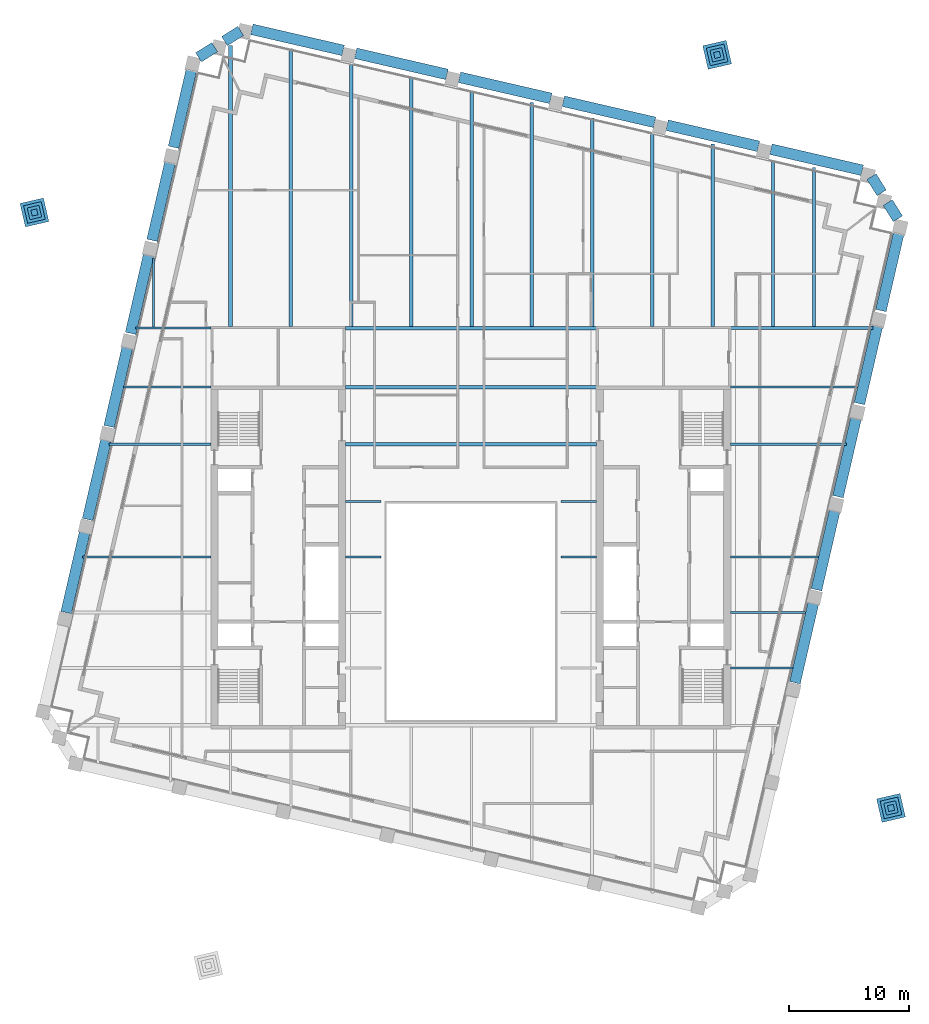
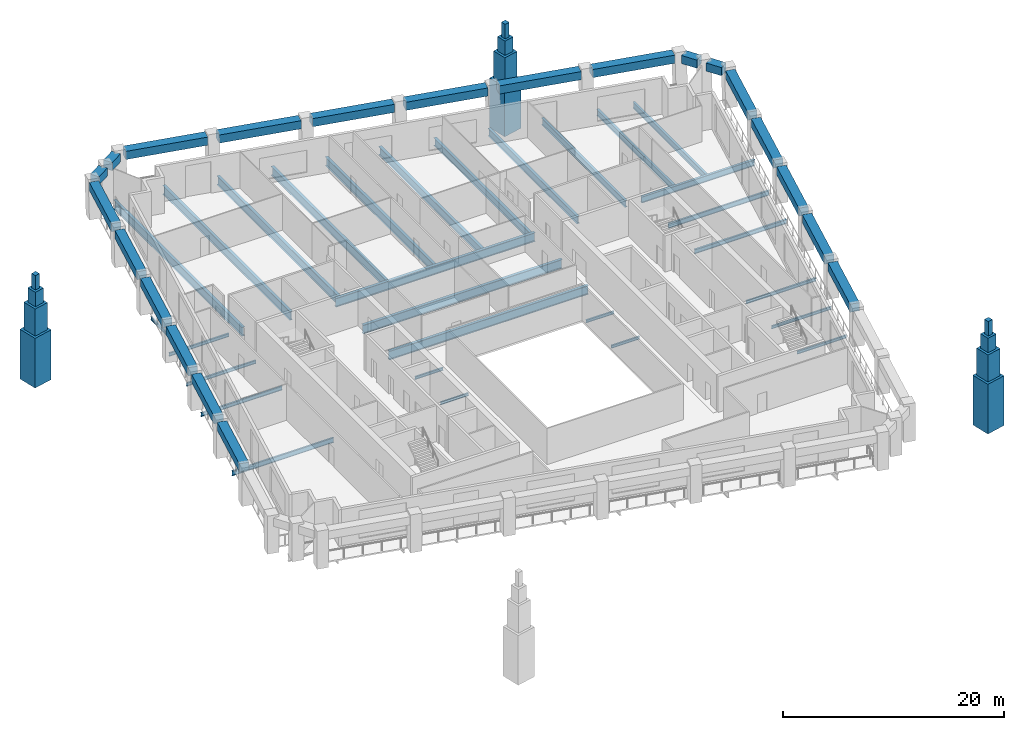
# One storey, part 2 of 9: 50 beams, 12 members.
"""IFC4 building model written with IfcOpenShell, lengths in metres."""

from ifc_helpers import new_model, si_unit, direction, frame, origin, origin_2d, place, context, subcontext, project, spatial, rectangle, i_section, extrude, material, material_profile, profile_set, type_object, element, save


model = new_model("IFC4")

# Units and contexts
model_context = context("Model", 3, precision=1e-05, world=origin(), true_north=direction((0.0, 1.0)))
body_context = subcontext(model_context, "Body", "Model", "MODEL_VIEW")
ifc_project = project(units=[si_unit("LENGTHUNIT", "METRE"), si_unit("AREAUNIT", "SQUARE_METRE"), si_unit("VOLUMEUNIT", "CUBIC_METRE"), si_unit("PLANEANGLEUNIT", "RADIAN"), si_unit("MASSUNIT", "GRAM", prefix="KILO")], contexts=[model_context])

# Site, building, storey
site_placement = place(None, origin())
site = spatial("IfcSite", under=ifc_project, at=site_placement, CompositionType="ELEMENT")
building_placement = place(site_placement, origin())
building = spatial("IfcBuilding", under=site, at=building_placement, Name="Ogive Exchange Tower", CompositionType="ELEMENT")
storey_placement = place(building_placement, frame((0.0, 0.0, 243.0)))
storey = spatial("IfcBuildingStorey", under=building, at=storey_placement, Name="L52", CompositionType="ELEMENT", Elevation=243.0)

# Beams
ifc_material_1 = material(Name="Steel ASTM A992 Gr50", Category="steel")
ifc_material_profile_1 = material_profile(ifc_material_1, i_section(OverallWidth=0.300048828125, OverallDepth=0.969970703125, WebThickness=0.01611328125, FlangeThickness=0.02099609375, at=origin_2d()), Name="W1000x222")
ifc_profile_set_1 = profile_set([ifc_material_profile_1], Name="Steel ASTM A992 Gr50")
beam_type_1 = type_object("IfcBeamType", Name="Floor beam W1000x222", PredefinedType="JOIST", material=ifc_profile_set_1)
beam_1_placement = place(storey_placement, frame((0.061279296875, 30.695068359375, -0.68505859375), z_axis=(0.0, 1.0, 0.0), x_axis=(-1.0, 0.0, 0.0)))
element("IfcBeam", 1, at=beam_1_placement, inside=storey, type_object=beam_type_1, Name="Floor beam", PredefinedType="JOIST", context=body_context, shape_type="SweptSolid", body=[
    extrude(i_section(OverallWidth=0.300048828125, OverallDepth=0.969970703125, WebThickness=0.01611328125, FlangeThickness=0.02099609375, at=origin_2d()), origin(), (0.0, 0.0, 1.0), 19.6015625),
])
ifc_material_profile_2 = material_profile(ifc_material_1, i_section(OverallWidth=0.300048828125, OverallDepth=0.97998046875, WebThickness=0.0166015625, FlangeThickness=0.026123046875, at=origin_2d()), Name="W1000x249")
ifc_profile_set_2 = profile_set([ifc_material_profile_2], Name="Steel ASTM A992 Gr50")
beam_type_2 = type_object("IfcBeamType", Name="Floor beam W1000x249", PredefinedType="JOIST", material=ifc_profile_set_2)
for number, where, z_axis, x_axis, name in (
    (2, (-10.419921875, 20.89990234375, -0.68994140625), (1.0, 0.0, 0.0), (0.0, 1.0, 0.0), "Floor beam"),
    (3, (-10.419921875, 25.64501953125, -0.68994140625), (1.0, 0.0, 0.0), (0.0, 1.0, 0.0), "Floor beam"),
):
    element("IfcBeam", number, at=place(storey_placement, frame(where, z_axis=z_axis, x_axis=x_axis)), inside=storey, type_object=beam_type_2, Name=name, PredefinedType="JOIST", context=body_context, shape_type="SweptSolid", body=[
        extrude(i_section(OverallWidth=0.300048828125, OverallDepth=0.97998046875, WebThickness=0.0166015625, FlangeThickness=0.026123046875, at=origin_2d()), origin(), (0.0, 0.0, 1.0), 20.83984375),
    ])
beam_2_placement = place(storey_placement, frame((-19.961669921875, 30.699951171875, -0.68994140625), z_axis=(0.0, 1.0, 0.0), x_axis=(-1.0, 0.0, 0.0)))
element("IfcBeam", 4, at=beam_2_placement, inside=storey, type_object=beam_type_2, Name="Floor beam", PredefinedType="JOIST", context=body_context, shape_type="SweptSolid", body=[
    extrude(i_section(OverallWidth=0.300048828125, OverallDepth=0.97998046875, WebThickness=0.0166015625, FlangeThickness=0.026123046875, at=origin_2d()), origin(), (0.0, 0.0, 1.0), 23.302978515625),
])
beam_3_placement = place(storey_placement, frame((-14.955810546875, 30.699951171875, -0.68994140625), z_axis=(0.0, 1.0, 0.0), x_axis=(-1.0, 0.0, 0.0)))
element("IfcBeam", 5, at=beam_3_placement, inside=storey, type_object=beam_type_2, Name="Floor beam", PredefinedType="JOIST", context=body_context, shape_type="SweptSolid", body=[
    extrude(i_section(OverallWidth=0.300048828125, OverallDepth=0.97998046875, WebThickness=0.0166015625, FlangeThickness=0.026123046875, at=origin_2d()), origin(), (0.0, 0.0, 1.0), 23.063720703125),
])
beam_4_placement = place(storey_placement, frame((-9.9501953125, 30.695068359375, -0.68994140625), z_axis=(0.0, 1.0, 0.0), x_axis=(-1.0, 0.0, 0.0)))
element("IfcBeam", 6, at=beam_4_placement, inside=storey, type_object=beam_type_2, Name="Floor beam", PredefinedType="JOIST", context=body_context, shape_type="SweptSolid", body=[
    extrude(i_section(OverallWidth=0.300048828125, OverallDepth=0.97998046875, WebThickness=0.0166015625, FlangeThickness=0.026123046875, at=origin_2d()), origin(), (0.0, 0.0, 1.0), 21.912841796875),
])
beam_5_placement = place(storey_placement, frame((-4.9443359375, 30.695068359375, -0.68994140625), z_axis=(0.0, 1.0, 0.0), x_axis=(-1.0, 0.0, 0.0)))
element("IfcBeam", 7, at=beam_5_placement, inside=storey, type_object=beam_type_2, Name="Floor beam", PredefinedType="JOIST", context=body_context, shape_type="SweptSolid", body=[
    extrude(i_section(OverallWidth=0.300048828125, OverallDepth=0.97998046875, WebThickness=0.0166015625, FlangeThickness=0.026123046875, at=origin_2d()), origin(), (0.0, 0.0, 1.0), 20.75732421875),
])
ifc_material_profile_3 = material_profile(ifc_material_1, i_section(OverallWidth=0.1650390625, OverallDepth=0.31005859375, WebThickness=0.005859375, FlangeThickness=0.009765625, at=origin_2d()), Name="W310x38.7")
ifc_profile_set_3 = profile_set([ifc_material_profile_3], Name="Steel ASTM A992 Gr50")
beam_type_3 = type_object("IfcBeamType", Name="Floor beam W310x38.7", PredefinedType="JOIST", material=ifc_profile_set_3)
beam_6_placement = place(storey_placement, frame((21.580078125, 2.3212890625, -0.35498046875), z_axis=(1.0, 0.0, 0.0), x_axis=(0.0, 1.0, 0.0)))
element("IfcBeam", 8, at=beam_6_placement, inside=storey, type_object=beam_type_3, Name="Floor beam", PredefinedType="JOIST", context=body_context, shape_type="SweptSolid", body=[
    extrude(i_section(OverallWidth=0.1650390625, OverallDepth=0.31005859375, WebThickness=0.005859375, FlangeThickness=0.009765625, at=origin_2d()), origin(), (0.0, 0.0, 1.0), 5.166015625),
])
beam_7_placement = place(storey_placement, frame((21.580078125, 6.9326171875, -0.35498046875), z_axis=(1.0, 0.0, 0.0), x_axis=(0.0, 1.0, 0.0)))
element("IfcBeam", 9, at=beam_7_placement, inside=storey, type_object=beam_type_3, Name="Floor beam", PredefinedType="JOIST", context=body_context, shape_type="SweptSolid", body=[
    extrude(i_section(OverallWidth=0.1650390625, OverallDepth=0.31005859375, WebThickness=0.005859375, FlangeThickness=0.009765625, at=origin_2d()), origin(), (0.0, 0.0, 1.0), 6.230712890625),
])
for number, where, z_axis, x_axis, name in (
    (10, (-10.419921875, 11.543701171875, -0.35498046875), (1.0, 0.0, 0.0), (0.0, 1.0, 0.0), "Floor beam"),
    (11, (7.469970703125, 11.543701171875, -0.35498046875), (1.0, 0.0, 0.0), (0.0, 1.0, 0.0), "Floor beam"),
):
    element("IfcBeam", number, at=place(storey_placement, frame(where, z_axis=z_axis, x_axis=x_axis)), inside=storey, type_object=beam_type_3, Name=name, PredefinedType="JOIST", context=body_context, shape_type="SweptSolid", body=[
        extrude(i_section(OverallWidth=0.1650390625, OverallDepth=0.31005859375, WebThickness=0.005859375, FlangeThickness=0.009765625, at=origin_2d()), origin(), (0.0, 0.0, 1.0), 2.949951171875),
    ])
beam_8_placement = place(storey_placement, frame((-26.3671875, 30.630615234375, -0.35498046875), z_axis=(0.0, 1.0, 0.0), x_axis=(-1.0, 0.0, 0.0)))
element("IfcBeam", 12, at=beam_8_placement, inside=storey, type_object=beam_type_3, Name="Floor beam", PredefinedType="JOIST", context=body_context, shape_type="SweptSolid", body=[
    extrude(i_section(OverallWidth=0.1650390625, OverallDepth=0.31005859375, WebThickness=0.005859375, FlangeThickness=0.009765625, at=origin_2d()), origin(), (0.0, 0.0, 1.0), 5.688720703125),
])
ifc_material_profile_4 = material_profile(ifc_material_1, i_section(OverallWidth=0.1708984375, OverallDepth=0.35595703125, WebThickness=0.00732421875, FlangeThickness=0.01171875, at=origin_2d()), Name="W360x51")
ifc_profile_set_4 = profile_set([ifc_material_profile_4], Name="Steel ASTM A992 Gr50")
beam_type_4 = type_object("IfcBeamType", Name="Floor beam W360x51", PredefinedType="JOIST", material=ifc_profile_set_4)
beam_9_placement = place(storey_placement, frame((21.580078125, 11.543701171875, -0.3779296875), z_axis=(1.0, 0.0, 0.0), x_axis=(0.0, 1.0, 0.0)))
element("IfcBeam", 13, at=beam_9_placement, inside=storey, type_object=beam_type_4, Name="Floor beam", PredefinedType="JOIST", context=body_context, shape_type="SweptSolid", body=[
    extrude(i_section(OverallWidth=0.1708984375, OverallDepth=0.35595703125, WebThickness=0.00732421875, FlangeThickness=0.01171875, at=origin_2d()), origin(), (0.0, 0.0, 1.0), 7.295166015625),
])
beam_10_placement = place(storey_placement, frame((-28.831787109375, 25.64501953125, -0.3779296875), z_axis=(1.0, 0.0, 0.0), x_axis=(0.0, 1.0, 0.0)))
element("IfcBeam", 14, at=beam_10_placement, inside=storey, type_object=beam_type_4, Name="Floor beam", PredefinedType="JOIST", context=body_context, shape_type="SweptSolid", body=[
    extrude(i_section(OverallWidth=0.1708984375, OverallDepth=0.35595703125, WebThickness=0.00732421875, FlangeThickness=0.01171875, at=origin_2d()), origin(), (0.0, 0.0, 1.0), 7.251708984375),
])
ifc_material_profile_5 = material_profile(ifc_material_1, i_section(OverallWidth=0.177978515625, OverallDepth=0.406005859375, WebThickness=0.0078125, FlangeThickness=0.0126953125, at=origin_2d()), Name="W410x60")
ifc_profile_set_5 = profile_set([ifc_material_profile_5], Name="Steel ASTM A992 Gr50")
beam_type_5 = type_object("IfcBeamType", Name="Floor beam W410x60", PredefinedType="JOIST", material=ifc_profile_set_5)
beam_11_placement = place(storey_placement, frame((-30.0771484375, 20.89990234375, -0.403076171875), z_axis=(1.0, 0.0, 0.0), x_axis=(0.0, 1.0, 0.0)))
element("IfcBeam", 15, at=beam_11_placement, inside=storey, type_object=beam_type_5, Name="Floor beam", PredefinedType="JOIST", context=body_context, shape_type="SweptSolid", body=[
    extrude(i_section(OverallWidth=0.177978515625, OverallDepth=0.406005859375, WebThickness=0.0078125, FlangeThickness=0.0126953125, at=origin_2d()), origin(), (0.0, 0.0, 1.0), 8.4970703125),
])
ifc_material_profile_6 = material_profile(ifc_material_1, i_section(OverallWidth=0.19189453125, OverallDepth=0.4619140625, WebThickness=0.010498046875, FlangeThickness=0.017578125, at=origin_2d()), Name="W460x89")
ifc_profile_set_6 = profile_set([ifc_material_profile_6], Name="Steel ASTM A992 Gr50")
beam_type_6 = type_object("IfcBeamType", Name="Floor beam W460x89", PredefinedType="JOIST", material=ifc_profile_set_6)
beam_12_placement = place(storey_placement, frame((21.580078125, 20.89990234375, -0.430908203125), z_axis=(1.0, 0.0, 0.0), x_axis=(0.0, 1.0, 0.0)))
element("IfcBeam", 16, at=beam_12_placement, inside=storey, type_object=beam_type_6, Name="Floor beam", PredefinedType="JOIST", context=body_context, shape_type="SweptSolid", body=[
    extrude(i_section(OverallWidth=0.19189453125, OverallDepth=0.4619140625, WebThickness=0.010498046875, FlangeThickness=0.017578125, at=origin_2d()), origin(), (0.0, 0.0, 1.0), 9.605224609375),
])
ifc_material_profile_7 = material_profile(ifc_material_1, i_section(OverallWidth=0.1669921875, OverallDepth=0.535888671875, WebThickness=0.01025390625, FlangeThickness=0.0166015625, at=origin_2d()), Name="W530x85")
ifc_profile_set_7 = profile_set([ifc_material_profile_7], Name="Steel ASTM A992 Gr50")
beam_type_7 = type_object("IfcBeamType", Name="Floor beam W530x85", PredefinedType="JOIST", material=ifc_profile_set_7)
beam_13_placement = place(storey_placement, frame((-32.2373046875, 11.543701171875, -0.468017578125), z_axis=(1.0, 0.0, 0.0), x_axis=(0.0, 1.0, 0.0)))
element("IfcBeam", 17, at=beam_13_placement, inside=storey, type_object=beam_type_7, Name="Floor beam", PredefinedType="JOIST", context=body_context, shape_type="SweptSolid", body=[
    extrude(i_section(OverallWidth=0.1669921875, OverallDepth=0.535888671875, WebThickness=0.01025390625, FlangeThickness=0.0166015625, at=origin_2d()), origin(), (0.0, 0.0, 1.0), 10.6572265625),
])
beam_14_placement = place(storey_placement, frame((21.580078125, 25.64501953125, -0.468017578125), z_axis=(1.0, 0.0, 0.0), x_axis=(0.0, 1.0, 0.0)))
element("IfcBeam", 18, at=beam_14_placement, inside=storey, type_object=beam_type_7, Name="Floor beam", PredefinedType="JOIST", context=body_context, shape_type="SweptSolid", body=[
    extrude(i_section(OverallWidth=0.1669921875, OverallDepth=0.535888671875, WebThickness=0.01025390625, FlangeThickness=0.0166015625, at=origin_2d()), origin(), (0.0, 0.0, 1.0), 10.55078125),
])
ifc_material_profile_8 = material_profile(ifc_material_1, i_section(OverallWidth=0.25390625, OverallDepth=0.677978515625, WebThickness=0.01171875, FlangeThickness=0.016357421875, at=origin_2d()), Name="W690x125")
ifc_profile_set_8 = profile_set([ifc_material_profile_8], Name="Steel ASTM A992 Gr50")
beam_type_8 = type_object("IfcBeamType", Name="Floor beam W690x125", PredefinedType="JOIST", material=ifc_profile_set_8)
beam_15_placement = place(storey_placement, frame((25.090087890625, 30.672119140625, -0.5390625), z_axis=(0.0, 1.0, 0.0), x_axis=(-1.0, 0.0, 0.0)))
element("IfcBeam", 19, at=beam_15_placement, inside=storey, type_object=beam_type_8, Name="Floor beam", PredefinedType="JOIST", context=body_context, shape_type="SweptSolid", body=[
    extrude(i_section(OverallWidth=0.25390625, OverallDepth=0.677978515625, WebThickness=0.01171875, FlangeThickness=0.016357421875, at=origin_2d()), origin(), (0.0, 0.0, 1.0), 13.84619140625),
])
beam_16_placement = place(storey_placement, frame((28.49560546875, 30.672119140625, -0.5390625), z_axis=(0.0, 1.0, 0.0), x_axis=(-1.0, 0.0, 0.0)))
element("IfcBeam", 20, at=beam_16_placement, inside=storey, type_object=beam_type_8, Name="Floor beam", PredefinedType="JOIST", context=body_context, shape_type="SweptSolid", body=[
    extrude(i_section(OverallWidth=0.25390625, OverallDepth=0.677978515625, WebThickness=0.01171875, FlangeThickness=0.016357421875, at=origin_2d()), origin(), (0.0, 0.0, 1.0), 13.2099609375),
])
ifc_material_profile_9 = material_profile(ifc_material_1, i_section(OverallWidth=0.26708984375, OverallDepth=0.75390625, WebThickness=0.01318359375, FlangeThickness=0.01708984375, at=origin_2d()), Name="W760x147")
ifc_profile_set_9 = profile_set([ifc_material_profile_9], Name="Steel ASTM A992 Gr50")
beam_type_9 = type_object("IfcBeamType", Name="Floor beam W760x147", PredefinedType="JOIST", material=ifc_profile_set_9)
beam_17_placement = place(storey_placement, frame((20.084228515625, 30.699951171875, -0.576904296875), z_axis=(0.0, 1.0, 0.0), x_axis=(-1.0, 0.0, 0.0)))
element("IfcBeam", 21, at=beam_17_placement, inside=storey, type_object=beam_type_9, Name="Floor beam", PredefinedType="JOIST", context=body_context, shape_type="SweptSolid", body=[
    extrude(i_section(OverallWidth=0.26708984375, OverallDepth=0.75390625, WebThickness=0.01318359375, FlangeThickness=0.01708984375, at=origin_2d()), origin(), (0.0, 0.0, 1.0), 15.1240234375),
])
ifc_material_profile_10 = material_profile(ifc_material_1, i_section(OverallWidth=0.2919921875, OverallDepth=0.8359375, WebThickness=0.013916015625, FlangeThickness=0.018798828125, at=origin_2d()), Name="W840x176")
ifc_profile_set_10 = profile_set([ifc_material_profile_10], Name="Steel ASTM A992 Gr50")
beam_type_10 = type_object("IfcBeamType", Name="Floor beam W840x176", PredefinedType="JOIST", material=ifc_profile_set_10)
beam_18_placement = place(storey_placement, frame((10.07275390625, 30.695068359375, -0.617919921875), z_axis=(0.0, 1.0, 0.0), x_axis=(-1.0, 0.0, 0.0)))
element("IfcBeam", 22, at=beam_18_placement, inside=storey, type_object=beam_type_10, Name="Floor beam", PredefinedType="JOIST", context=body_context, shape_type="SweptSolid", body=[
    extrude(i_section(OverallWidth=0.2919921875, OverallDepth=0.8359375, WebThickness=0.013916015625, FlangeThickness=0.018798828125, at=origin_2d()), origin(), (0.0, 0.0, 1.0), 17.290283203125),
])
beam_19_placement = place(storey_placement, frame((15.07861328125, 30.699951171875, -0.617919921875), z_axis=(0.0, 1.0, 0.0), x_axis=(-1.0, 0.0, 0.0)))
element("IfcBeam", 23, at=beam_19_placement, inside=storey, type_object=beam_type_10, Name="Floor beam", PredefinedType="JOIST", context=body_context, shape_type="SweptSolid", body=[
    extrude(i_section(OverallWidth=0.2919921875, OverallDepth=0.8359375, WebThickness=0.013916015625, FlangeThickness=0.018798828125, at=origin_2d()), origin(), (0.0, 0.0, 1.0), 16.129638671875),
])
ifc_material_profile_11 = material_profile(ifc_material_1, i_section(OverallWidth=0.304931640625, OverallDepth=0.904052734375, WebThickness=0.01513671875, FlangeThickness=0.02001953125, at=origin_2d()), Name="W920x201")
ifc_profile_set_11 = profile_set([ifc_material_profile_11], Name="Steel ASTM A992 Gr50")
beam_type_11 = type_object("IfcBeamType", Name="Floor beam W920x201", PredefinedType="JOIST", material=ifc_profile_set_11)
beam_20_placement = place(storey_placement, frame((5.067138671875, 30.695068359375, -0.652099609375), z_axis=(0.0, 1.0, 0.0), x_axis=(-1.0, 0.0, 0.0)))
element("IfcBeam", 24, at=beam_20_placement, inside=storey, type_object=beam_type_11, Name="Floor beam", PredefinedType="JOIST", context=body_context, shape_type="SweptSolid", body=[
    extrude(i_section(OverallWidth=0.304931640625, OverallDepth=0.904052734375, WebThickness=0.01513671875, FlangeThickness=0.02001953125, at=origin_2d()), origin(), (0.0, 0.0, 1.0), 18.595947265625),
])
ifc_material_profile_12 = material_profile(ifc_material_1, i_section(OverallWidth=0.300048828125, OverallDepth=0.97998046875, WebThickness=0.0166015625, FlangeThickness=0.026123046875, at=origin_2d()), Name="W1000x249")
ifc_profile_set_12 = profile_set([ifc_material_profile_12], Name="Steel ASTM A992 Gr50")
beam_type_12 = type_object("IfcBeamType", Name="Girder W1000x249", PredefinedType="BEAM", material=ifc_profile_set_12)
beam_21_placement = place(storey_placement, frame((-10.419921875, 30.544921875, -0.68994140625), z_axis=(1.0, 0.0, 0.0), x_axis=(0.0, 1.0, 0.0)))
element("IfcBeam", 25, at=beam_21_placement, inside=storey, type_object=beam_type_12, Name="Header girder", PredefinedType="BEAM", context=body_context, shape_type="SweptSolid", body=[
    extrude(i_section(OverallWidth=0.300048828125, OverallDepth=0.97998046875, WebThickness=0.0166015625, FlangeThickness=0.026123046875, at=origin_2d()), origin(), (0.0, 0.0, 1.0), 20.83984375),
])
ifc_material_profile_13 = material_profile(ifc_material_1, i_section(OverallWidth=0.1650390625, OverallDepth=0.31005859375, WebThickness=0.005859375, FlangeThickness=0.009765625, at=origin_2d()), Name="W310x38.7")
ifc_profile_set_13 = profile_set([ifc_material_profile_13], Name="Steel ASTM A992 Gr50")
beam_type_13 = type_object("IfcBeamType", Name="Girder W310x38.7", PredefinedType="BEAM", material=ifc_profile_set_13)
for number, where, z_axis, x_axis, name in (
    (26, (-10.419921875, 16.155029296875, -0.35498046875), (1.0, 0.0, 0.0), (0.0, 1.0, 0.0), "Trimmer girder"),
    (27, (7.469970703125, 16.155029296875, -0.35498046875), (1.0, 0.0, 0.0), (0.0, 1.0, 0.0), "Trimmer girder"),
):
    element("IfcBeam", number, at=place(storey_placement, frame(where, z_axis=z_axis, x_axis=x_axis)), inside=storey, type_object=beam_type_13, Name=name, PredefinedType="BEAM", context=body_context, shape_type="SweptSolid", body=[
        extrude(i_section(OverallWidth=0.1650390625, OverallDepth=0.31005859375, WebThickness=0.005859375, FlangeThickness=0.009765625, at=origin_2d()), origin(), (0.0, 0.0, 1.0), 2.949951171875),
    ])
ifc_material_profile_14 = material_profile(ifc_material_1, i_section(OverallWidth=0.1708984375, OverallDepth=0.35595703125, WebThickness=0.00732421875, FlangeThickness=0.01171875, at=origin_2d()), Name="W360x51")
ifc_profile_set_14 = profile_set([ifc_material_profile_14], Name="Steel ASTM A992 Gr50")
beam_type_14 = type_object("IfcBeamType", Name="Girder W360x51", PredefinedType="BEAM", material=ifc_profile_set_14)
beam_22_placement = place(storey_placement, frame((-27.850341796875, 30.544921875, -0.3779296875), z_axis=(1.0, 0.0, 0.0), x_axis=(0.0, 1.0, 0.0)))
element("IfcBeam", 28, at=beam_22_placement, inside=storey, type_object=beam_type_14, Name="Header girder", PredefinedType="BEAM", context=body_context, shape_type="SweptSolid", body=[
    extrude(i_section(OverallWidth=0.1708984375, OverallDepth=0.35595703125, WebThickness=0.00732421875, FlangeThickness=0.01171875, at=origin_2d()), origin(), (0.0, 0.0, 1.0), 6.270263671875),
])
ifc_material_profile_15 = material_profile(ifc_material_1, i_section(OverallWidth=0.25390625, OverallDepth=0.677978515625, WebThickness=0.01171875, FlangeThickness=0.016357421875, at=origin_2d()), Name="W690x125")
ifc_profile_set_15 = profile_set([ifc_material_profile_15], Name="Steel ASTM A992 Gr50")
beam_type_15 = type_object("IfcBeamType", Name="Girder W690x125", PredefinedType="BEAM", material=ifc_profile_set_15)
beam_23_placement = place(storey_placement, frame((21.580078125, 30.544921875, -0.5390625), z_axis=(1.0, 0.0, 0.0), x_axis=(0.0, 1.0, 0.0)))
element("IfcBeam", 29, at=beam_23_placement, inside=storey, type_object=beam_type_15, Name="Header girder", PredefinedType="BEAM", context=body_context, shape_type="SweptSolid", body=[
    extrude(i_section(OverallWidth=0.25390625, OverallDepth=0.677978515625, WebThickness=0.01171875, FlangeThickness=0.016357421875, at=origin_2d()), origin(), (0.0, 0.0, 1.0), 11.83203125),
])

# Members
ifc_material_2 = material(Name="Precast concrete C50/60", Category="concrete")
ifc_material_profile_16 = material_profile(ifc_material_2, rectangle(XDim=2.0, YDim=2.0, at=origin_2d()), Name="PINNACLE 1 2000 x 2000")
ifc_profile_set_16 = profile_set([ifc_material_profile_16], Name="Precast concrete C50/60")
member_type_1 = type_object("IfcMemberType", Name="Precast pinnacle stage 1 2000 x 2000 C50/60", PredefinedType="USERDEFINED", material=ifc_profile_set_16)
for number, where, z_axis, x_axis, name in (
    (30, (34.89990234375, -9.30810546875, -6.0), (0.0, 0.0, 1.0), (0.974370064785, 0.224951054344, 0.0), "Head pinnacle 3-1"),
    (31, (20.4580078125, 53.24609375, -6.0), (0.0, 0.0, 1.0), (0.974370064785, 0.224951054344, 0.0), "Head pinnacle 3-2"),
    (32, (-36.25, 40.154052734375, -6.0), (0.0, 0.0, 1.0), (0.974370064785, 0.224951054344, 0.0), "Head pinnacle 3-3"),
):
    element("IfcMember", number, at=place(storey_placement, frame(where, z_axis=z_axis, x_axis=x_axis)), inside=storey, type_object=member_type_1, Name=name, ObjectType="PINNACLE", PredefinedType="USERDEFINED", context=body_context, shape_type="SweptSolid", body=[
        extrude(rectangle(XDim=2.0, YDim=2.0, at=origin_2d()), origin(), (0.0, 0.0, 1.0), 5.5),
    ])
ifc_material_profile_17 = material_profile(ifc_material_2, rectangle(XDim=1.5, YDim=1.5, at=origin_2d()), Name="PINNACLE 2 1500 x 1500")
ifc_profile_set_17 = profile_set([ifc_material_profile_17], Name="Precast concrete C50/60")
member_type_2 = type_object("IfcMemberType", Name="Precast pinnacle stage 2 1500 x 1500 C50/60", PredefinedType="USERDEFINED", material=ifc_profile_set_17)
for number, where, z_axis, x_axis, name in (
    (33, (34.89990234375, -9.30810546875, -0.5), (0.0, 0.0, 1.0), (0.974370064785, 0.224951054344, 0.0), "Head pinnacle 3-1 stage 2"),
    (34, (20.4580078125, 53.24609375, -0.5), (0.0, 0.0, 1.0), (0.974370064785, 0.224951054344, 0.0), "Head pinnacle 3-2 stage 2"),
    (35, (-36.25, 40.154052734375, -0.5), (0.0, 0.0, 1.0), (0.974370064785, 0.224951054344, 0.0), "Head pinnacle 3-3 stage 2"),
):
    element("IfcMember", number, at=place(storey_placement, frame(where, z_axis=z_axis, x_axis=x_axis)), inside=storey, type_object=member_type_2, Name=name, ObjectType="PINNACLE", PredefinedType="USERDEFINED", context=body_context, shape_type="SweptSolid", body=[
        extrude(rectangle(XDim=1.5, YDim=1.5, at=origin_2d()), origin(), (0.0, 0.0, 1.0), 3.0),
    ])
ifc_material_profile_18 = material_profile(ifc_material_2, rectangle(XDim=1.0, YDim=1.0, at=origin_2d()), Name="PINNACLE 3 1000 x 1000")
ifc_profile_set_18 = profile_set([ifc_material_profile_18], Name="Precast concrete C50/60")
member_type_3 = type_object("IfcMemberType", Name="Precast pinnacle stage 3 1000 x 1000 C50/60", PredefinedType="USERDEFINED", material=ifc_profile_set_18)
for number, where, z_axis, x_axis, name in (
    (36, (34.89990234375, -9.30810546875, 2.5), (0.0, 0.0, 1.0), (0.974370064785, 0.224951054344, 0.0), "Head pinnacle 3-1 stage 3"),
    (37, (20.4580078125, 53.24609375, 2.5), (0.0, 0.0, 1.0), (0.974370064785, 0.224951054344, 0.0), "Head pinnacle 3-2 stage 3"),
    (38, (-36.25, 40.154052734375, 2.5), (0.0, 0.0, 1.0), (0.974370064785, 0.224951054344, 0.0), "Head pinnacle 3-3 stage 3"),
):
    element("IfcMember", number, at=place(storey_placement, frame(where, z_axis=z_axis, x_axis=x_axis)), inside=storey, type_object=member_type_3, Name=name, ObjectType="PINNACLE", PredefinedType="USERDEFINED", context=body_context, shape_type="SweptSolid", body=[
        extrude(rectangle(XDim=1.0, YDim=1.0, at=origin_2d()), origin(), (0.0, 0.0, 1.0), 1.60009765625),
    ])
ifc_material_profile_19 = material_profile(ifc_material_2, rectangle(XDim=0.5, YDim=0.5, at=origin_2d()), Name="PINNACLE 4 500 x 500")
ifc_profile_set_19 = profile_set([ifc_material_profile_19], Name="Precast concrete C50/60")
member_type_4 = type_object("IfcMemberType", Name="Precast pinnacle stage 4 500 x 500 C50/60", PredefinedType="USERDEFINED", material=ifc_profile_set_19)
for number, where, z_axis, x_axis, name in (
    (39, (34.89990234375, -9.30810546875, 4.10009765625), (0.0, 0.0, 1.0), (0.974370064785, 0.224951054344, 0.0), "Head pinnacle 3-1 stage 4"),
    (40, (20.4580078125, 53.24609375, 4.10009765625), (0.0, 0.0, 1.0), (0.974370064785, 0.224951054344, 0.0), "Head pinnacle 3-2 stage 4"),
    (41, (-36.25, 40.154052734375, 4.10009765625), (0.0, 0.0, 1.0), (0.974370064785, 0.224951054344, 0.0), "Head pinnacle 3-3 stage 4"),
):
    element("IfcMember", number, at=place(storey_placement, frame(where, z_axis=z_axis, x_axis=x_axis)), inside=storey, type_object=member_type_4, Name=name, ObjectType="PINNACLE", PredefinedType="USERDEFINED", context=body_context, shape_type="SweptSolid", body=[
        extrude(rectangle(XDim=0.5, YDim=0.5, at=origin_2d()), origin(), (0.0, 0.0, 1.0), 1.599853515625),
    ])

# Beams
ifc_material_3 = material(Name="Precast concrete C70/85 (limestone faced)", Category="masonry")
ifc_material_profile_20 = material_profile(ifc_material_3, rectangle(XDim=0.89990234375, YDim=0.89990234375, at=origin_2d()), Name="900 x 900")
ifc_profile_set_20 = profile_set([ifc_material_profile_20], Name="Precast concrete C70/85 (limestone faced)")
beam_type_16 = type_object("IfcBeamType", Name="Precast spandrel 900 x 900 C70/85", PredefinedType="SPANDREL", material=ifc_profile_set_20)
for number, where, z_axis, x_axis, name in (
    (42, (26.92431640625, 1.09228515625, 3.5), (0.224942529948, 0.974372032758, 0.0), (-0.974372032758, 0.224942529948, 0.0), "Spandrel 11"),
    (43, (28.70849609375, 8.8212890625, 3.5), (0.224942529948, 0.974372032758, 0.0), (-0.974372032758, 0.224942529948, 0.0), "Spandrel 12"),
):
    element("IfcBeam", number, at=place(storey_placement, frame(where, z_axis=z_axis, x_axis=x_axis)), inside=storey, type_object=beam_type_16, Name=name, PredefinedType="SPANDREL", context=body_context, shape_type="SweptSolid", body=[
        extrude(rectangle(XDim=0.89990234375, YDim=0.89990234375, at=origin_2d()), origin(), (0.0, 0.0, 1.0), 6.872314453125),
    ])
beam_24_placement = place(storey_placement, frame((30.492919921875, 16.550537109375, 3.5), z_axis=(0.224976256744, 0.974364246009, 0.0), x_axis=(-0.974364246009, 0.224976256744, 0.0)))
element("IfcBeam", 44, at=beam_24_placement, inside=storey, type_object=beam_type_16, Name="Spandrel 13", PredefinedType="SPANDREL", context=body_context, shape_type="SweptSolid", body=[
    extrude(rectangle(XDim=0.89990234375, YDim=0.89990234375, at=origin_2d()), origin(), (0.0, 0.0, 1.0), 6.87255859375),
])
beam_25_placement = place(storey_placement, frame((32.27734375, 24.279541015625, 3.5), z_axis=(0.224968469737, 0.974366043961, 0.0), x_axis=(-0.974366043961, 0.224968469737, 0.0)))
element("IfcBeam", 45, at=beam_25_placement, inside=storey, type_object=beam_type_16, Name="Spandrel 14", PredefinedType="SPANDREL", context=body_context, shape_type="SweptSolid", body=[
    extrude(rectangle(XDim=0.89990234375, YDim=0.89990234375, at=origin_2d()), origin(), (0.0, 0.0, 1.0), 6.872802734375),
])
beam_26_placement = place(storey_placement, frame((34.061767578125, 32.0087890625, 3.5), z_axis=(0.224976256744, 0.974364246009, 0.0), x_axis=(-0.974364246009, 0.224976256744, 0.0)))
element("IfcBeam", 46, at=beam_26_placement, inside=storey, type_object=beam_type_16, Name="Spandrel 15", PredefinedType="SPANDREL", context=body_context, shape_type="SweptSolid", body=[
    extrude(rectangle(XDim=0.89990234375, YDim=0.89990234375, at=origin_2d()), origin(), (0.0, 0.0, 1.0), 6.87255859375),
])
for number, where, z_axis, x_axis, name in (
    (47, (35.473876953125, 39.626708984375, 3.5), (-0.529902320601, 0.848058683477, 0.0), (-0.848058683477, -0.529902320601, 0.0), "Spandrel 16"),
    (48, (34.125, 41.785400390625, 3.5), (-0.53001274109, 0.84798967817, 0.0), (-0.84798967817, -0.53001274109, 0.0), "Spandrel 17"),
):
    element("IfcBeam", number, at=place(storey_placement, frame(where, z_axis=z_axis, x_axis=x_axis)), inside=storey, type_object=beam_type_16, Name=name, PredefinedType="SPANDREL", context=body_context, shape_type="SweptSolid", body=[
        extrude(rectangle(XDim=0.89990234375, YDim=0.89990234375, at=origin_2d()), origin(), (0.0, 0.0, 1.0), 1.590087890625),
    ])
beam_27_placement = place(storey_placement, frame((32.5126953125, 43.658203125, 3.5), z_axis=(-0.974367949416, 0.224960216819, 0.0), x_axis=(-0.224960216819, -0.974367949416, 0.0)))
element("IfcBeam", 49, at=beam_27_placement, inside=storey, type_object=beam_type_16, Name="Spandrel 18", PredefinedType="SPANDREL", context=body_context, shape_type="SweptSolid", body=[
    extrude(rectangle(XDim=0.89990234375, YDim=0.89990234375, at=origin_2d()), origin(), (0.0, 0.0, 1.0), 7.7900390625),
])
beam_28_placement = place(storey_placement, frame((23.889404296875, 45.649169921875, 3.5), z_axis=(-0.974366363305, 0.224967086616, 0.0), x_axis=(-0.224967086616, -0.974366363305, 0.0)))
element("IfcBeam", 50, at=beam_28_placement, inside=storey, type_object=beam_type_16, Name="Spandrel 19", PredefinedType="SPANDREL", context=body_context, shape_type="SweptSolid", body=[
    extrude(rectangle(XDim=0.89990234375, YDim=0.89990234375, at=origin_2d()), origin(), (0.0, 0.0, 1.0), 7.789794921875),
])
beam_29_placement = place(storey_placement, frame((15.266357421875, 47.639892578125, 3.5), z_axis=(-0.974367949416, 0.224960216819, 0.0), x_axis=(-0.224960216819, -0.974367949416, 0.0)))
element("IfcBeam", 51, at=beam_29_placement, inside=storey, type_object=beam_type_16, Name="Spandrel 20", PredefinedType="SPANDREL", context=body_context, shape_type="SweptSolid", body=[
    extrude(rectangle(XDim=0.89990234375, YDim=0.89990234375, at=origin_2d()), origin(), (0.0, 0.0, 1.0), 7.7900390625),
])
beam_30_placement = place(storey_placement, frame((6.643310546875, 49.630859375, 3.5), z_axis=(-0.97437640416, 0.22492359373, 0.0), x_axis=(-0.22492359373, -0.97437640416, 0.0)))
element("IfcBeam", 52, at=beam_30_placement, inside=storey, type_object=beam_type_16, Name="Spandrel 21", PredefinedType="SPANDREL", context=body_context, shape_type="SweptSolid", body=[
    extrude(rectangle(XDim=0.89990234375, YDim=0.89990234375, at=origin_2d()), origin(), (0.0, 0.0, 1.0), 7.790283203125),
])
for number, where, z_axis, x_axis, name in (
    (53, (-1.97998046875, 51.62158203125, 3.5), (-0.974367949416, 0.224960216819, 0.0), (-0.224960216819, -0.974367949416, 0.0), "Spandrel 22"),
    (54, (-10.603271484375, 53.6123046875, 3.5), (-0.974367949416, 0.224960216819, 0.0), (-0.224960216819, -0.974367949416, 0.0), "Spandrel 23"),
):
    element("IfcBeam", number, at=place(storey_placement, frame(where, z_axis=z_axis, x_axis=x_axis)), inside=storey, type_object=beam_type_16, Name=name, PredefinedType="SPANDREL", context=body_context, shape_type="SweptSolid", body=[
        extrude(rectangle(XDim=0.89990234375, YDim=0.89990234375, at=origin_2d()), origin(), (0.0, 0.0, 1.0), 7.7900390625),
    ])
beam_31_placement = place(storey_placement, frame((-19.115234375, 55.230712890625, 3.5), z_axis=(-0.848015558653, -0.529971331567, 0.0), x_axis=(0.529971331567, -0.848015558653, 0.0)))
element("IfcBeam", 55, at=beam_31_placement, inside=storey, type_object=beam_type_16, Name="Spandrel 24", PredefinedType="SPANDREL", context=body_context, shape_type="SweptSolid", body=[
    extrude(rectangle(XDim=0.89990234375, YDim=0.89990234375, at=origin_2d()), origin(), (0.0, 0.0, 1.0), 1.58984375),
])
beam_32_placement = place(storey_placement, frame((-21.27392578125, 53.8818359375, 3.5), z_axis=(-0.848058683477, -0.529902320601, 0.0), x_axis=(0.529902320601, -0.848058683477, 0.0)))
element("IfcBeam", 56, at=beam_32_placement, inside=storey, type_object=beam_type_16, Name="Spandrel 25", PredefinedType="SPANDREL", context=body_context, shape_type="SweptSolid", body=[
    extrude(rectangle(XDim=0.89990234375, YDim=0.89990234375, at=origin_2d()), origin(), (0.0, 0.0, 1.0), 1.590087890625),
])
beam_33_placement = place(storey_placement, frame((-23.146728515625, 52.269775390625, 3.5), z_axis=(-0.224934743984, -0.974373830185, 0.0), x_axis=(0.974373830185, -0.224934743984, 0.0)))
element("IfcBeam", 57, at=beam_33_placement, inside=storey, type_object=beam_type_16, Name="Spandrel 26", PredefinedType="SPANDREL", context=body_context, shape_type="SweptSolid", body=[
    extrude(rectangle(XDim=0.89990234375, YDim=0.89990234375, at=origin_2d()), origin(), (0.0, 0.0, 1.0), 6.87255859375),
])
for number, where, z_axis, x_axis, name in (
    (58, (-24.93115234375, 44.54052734375, 3.5), (-0.224942529948, -0.974372032758, 0.0), (0.974372032758, -0.224942529948, 0.0), "Spandrel 27"),
    (59, (-26.715576171875, 36.811279296875, 3.5), (-0.224942529948, -0.974372032758, 0.0), (0.974372032758, -0.224942529948, 0.0), "Spandrel 28"),
    (60, (-28.5, 29.082275390625, 3.5), (-0.224942529948, -0.974372032758, 0.0), (0.974372032758, -0.224942529948, 0.0), "Spandrel 29"),
    (61, (-30.284423828125, 21.35302734375, 3.5), (-0.224942529948, -0.974372032758, 0.0), (0.974372032758, -0.224942529948, 0.0), "Spandrel 30"),
    (62, (-32.06884765625, 13.623779296875, 3.5), (-0.224942529948, -0.974372032758, 0.0), (0.974372032758, -0.224942529948, 0.0), "Spandrel 31"),
):
    element("IfcBeam", number, at=place(storey_placement, frame(where, z_axis=z_axis, x_axis=x_axis)), inside=storey, type_object=beam_type_16, Name=name, PredefinedType="SPANDREL", context=body_context, shape_type="SweptSolid", body=[
        extrude(rectangle(XDim=0.89990234375, YDim=0.89990234375, at=origin_2d()), origin(), (0.0, 0.0, 1.0), 6.872314453125),
    ])

save(model, "model.ifc")
